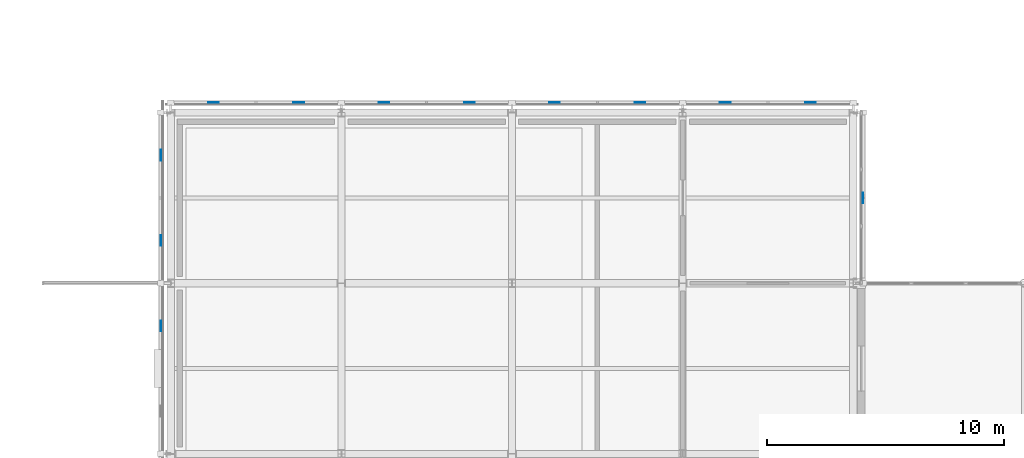
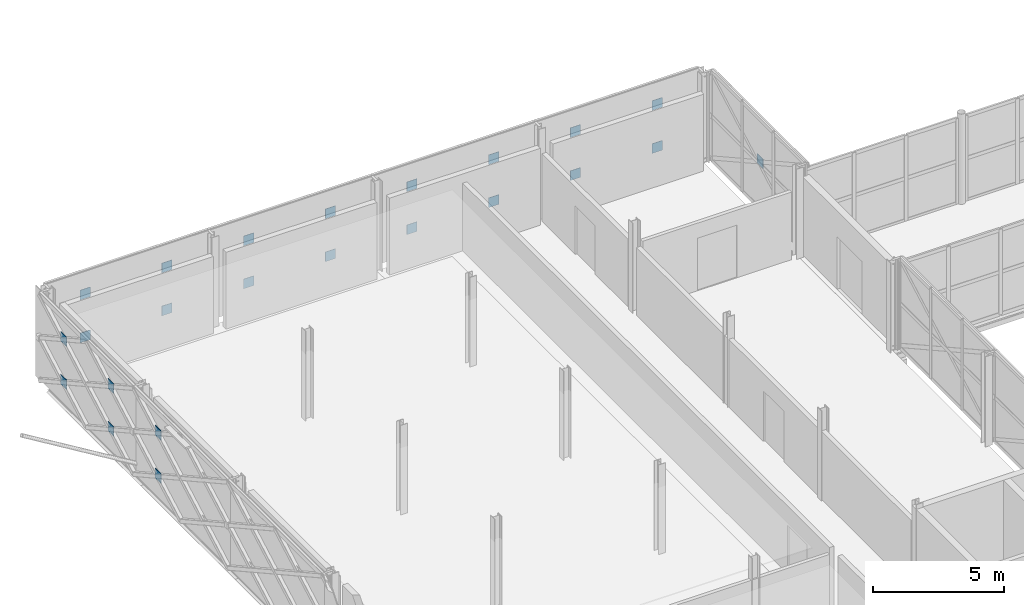
# One storey, part 107 of 146: 23 plates.
"""IFC4 building model written with IfcOpenShell, lengths in metres."""

from ifc_helpers import new_model, si_unit, direction, frame, origin, origin_2d, place, context, subcontext, project, spatial, rectangle, extrude, material, layer, layer_set, type_object, element, save


model = new_model("IFC4")

# Units and contexts
model_context = context("Model", 3, precision=1e-05, world=origin(), true_north=direction((0.0, 1.0)))
body_context = subcontext(model_context, "Body", "Model", "MODEL_VIEW")
ifc_project = project(units=[si_unit("LENGTHUNIT", "METRE"), si_unit("AREAUNIT", "SQUARE_METRE"), si_unit("VOLUMEUNIT", "CUBIC_METRE"), si_unit("PLANEANGLEUNIT", "RADIAN"), si_unit("MASSUNIT", "GRAM", prefix="KILO")], contexts=[model_context])

# Site, building, storey
site_placement = place(None, origin())
site = spatial("IfcSite", under=ifc_project, at=site_placement, CompositionType="ELEMENT")
building_placement = place(site_placement, origin())
building = spatial("IfcBuilding", under=site, at=building_placement, Name="Zlatovets Crest Museum", CompositionType="ELEMENT")
storey_placement = place(building_placement, frame((0.0, 0.0, 4.5)))
storey = spatial("IfcBuildingStorey", under=building, at=storey_placement, Name="L01", CompositionType="ELEMENT", Elevation=4.5)

# Plates
ifc_material = material(Name="Structural steel S355J2", Category="steel")
ifc_layer = layer(ifc_material, 0.02001953125)
ifc_layer_set = layer_set([ifc_layer], Name="Structural steel S355J2")
plate_type = type_object("IfcPlateType", Name="Gusset_GP-04", PredefinedType="USERDEFINED", material=ifc_layer_set)
plate_placement = place(storey_placement, frame((36.419921875, 97.199951171875, 1.875), z_axis=(0.0, 0.0, 1.0), x_axis=(1.0, 0.0, 0.0)))
element("IfcPlate", 1, at=plate_placement, inside=storey, type_object=plate_type, Name="X-Brace Crossing Node Gusset Plate GP-04", ObjectType="GUSSET", PredefinedType="USERDEFINED", context=body_context, shape_type="SweptSolid", body=[
    extrude(rectangle(XDim=0.02001953125, YDim=0.449951171875, at=origin_2d()), origin(), (0.0, 0.0, 1.0), 0.449951171875),
])
for number, where, z_axis, x_axis, name in (
    (2, (34.199951171875, 101.219970703125, 0.875), (0.0, 0.0, 1.0), (1.0, 0.0, 0.0), "X-Brace Crossing Node Gusset Plate GP-04"),
    (3, (30.60009765625, 101.219970703125, 0.875), (0.0, 0.0, 1.0), (1.0, 0.0, 0.0), "X-Brace Crossing Node Gusset Plate GP-04"),
    (4, (34.199951171875, 101.219970703125, 2.875), (0.0, 0.0, 1.0), (1.0, 0.0, 0.0), "X-Brace Crossing Node Gusset Plate GP-04"),
    (5, (30.60009765625, 101.219970703125, 2.875), (0.0, 0.0, 1.0), (1.0, 0.0, 0.0), "X-Brace Crossing Node Gusset Plate GP-04"),
    (6, (27.0, 101.219970703125, 0.875), (0.0, 0.0, 1.0), (1.0, 0.0, 0.0), "X-Brace Crossing Node Gusset Plate GP-04"),
    (7, (23.39990234375, 101.219970703125, 0.875), (0.0, 0.0, 1.0), (1.0, 0.0, 0.0), "X-Brace Crossing Node Gusset Plate GP-04"),
    (8, (27.0, 101.219970703125, 2.875), (0.0, 0.0, 1.0), (1.0, 0.0, 0.0), "X-Brace Crossing Node Gusset Plate GP-04"),
    (9, (23.39990234375, 101.219970703125, 2.875), (0.0, 0.0, 1.0), (1.0, 0.0, 0.0), "X-Brace Crossing Node Gusset Plate GP-04"),
    (10, (19.800048828125, 101.219970703125, 0.875), (0.0, 0.0, 1.0), (1.0, 0.0, 0.0), "X-Brace Crossing Node Gusset Plate GP-04"),
    (11, (16.199951171875, 101.219970703125, 0.875), (0.0, 0.0, 1.0), (1.0, 0.0, 0.0), "X-Brace Crossing Node Gusset Plate GP-04"),
    (12, (19.800048828125, 101.219970703125, 2.875), (0.0, 0.0, 1.0), (1.0, 0.0, 0.0), "X-Brace Crossing Node Gusset Plate GP-04"),
    (13, (16.199951171875, 101.219970703125, 2.875), (0.0, 0.0, 1.0), (1.0, 0.0, 0.0), "X-Brace Crossing Node Gusset Plate GP-04"),
    (14, (12.60009765625, 101.219970703125, 0.875), (0.0, 0.0, 1.0), (1.0, 0.0, 0.0), "X-Brace Crossing Node Gusset Plate GP-04"),
    (15, (9.0, 101.219970703125, 0.875), (0.0, 0.0, 1.0), (1.0, 0.0, 0.0), "X-Brace Crossing Node Gusset Plate GP-04"),
    (16, (12.60009765625, 101.219970703125, 2.875), (0.0, 0.0, 1.0), (1.0, 0.0, 0.0), "X-Brace Crossing Node Gusset Plate GP-04"),
    (17, (9.0, 101.219970703125, 2.875), (0.0, 0.0, 1.0), (1.0, 0.0, 0.0), "X-Brace Crossing Node Gusset Plate GP-04"),
):
    element("IfcPlate", number, at=place(storey_placement, frame(where, z_axis=z_axis, x_axis=x_axis)), inside=storey, type_object=plate_type, Name=name, ObjectType="GUSSET", PredefinedType="USERDEFINED", context=body_context, shape_type="SweptSolid", body=[
        extrude(rectangle(XDim=0.449951171875, YDim=0.02001953125, at=origin_2d()), origin(), (0.0, 0.0, 1.0), 0.449951171875),
    ])
for number, where, z_axis, x_axis, name in (
    (18, (6.780029296875, 99.0, 0.875), (0.0, 0.0, 1.0), (1.0, 0.0, 0.0), "X-Brace Crossing Node Gusset Plate GP-04"),
    (19, (6.780029296875, 95.39990234375, 0.875), (0.0, 0.0, 1.0), (1.0, 0.0, 0.0), "X-Brace Crossing Node Gusset Plate GP-04"),
    (20, (6.780029296875, 99.0, 2.875), (0.0, 0.0, 1.0), (1.0, 0.0, 0.0), "X-Brace Crossing Node Gusset Plate GP-04"),
    (21, (6.780029296875, 95.39990234375, 2.875), (0.0, 0.0, 1.0), (1.0, 0.0, 0.0), "X-Brace Crossing Node Gusset Plate GP-04"),
    (22, (6.780029296875, 91.800048828125, 0.875), (0.0, 0.0, 1.0), (1.0, 0.0, 0.0), "X-Brace Crossing Node Gusset Plate GP-04"),
    (23, (6.780029296875, 91.800048828125, 2.875), (0.0, 0.0, 1.0), (1.0, 0.0, 0.0), "X-Brace Crossing Node Gusset Plate GP-04"),
):
    element("IfcPlate", number, at=place(storey_placement, frame(where, z_axis=z_axis, x_axis=x_axis)), inside=storey, type_object=plate_type, Name=name, ObjectType="GUSSET", PredefinedType="USERDEFINED", context=body_context, shape_type="SweptSolid", body=[
        extrude(rectangle(XDim=0.02001953125, YDim=0.449951171875, at=origin_2d()), origin(), (0.0, 0.0, 1.0), 0.449951171875),
    ])

save(model, "model.ifc")
